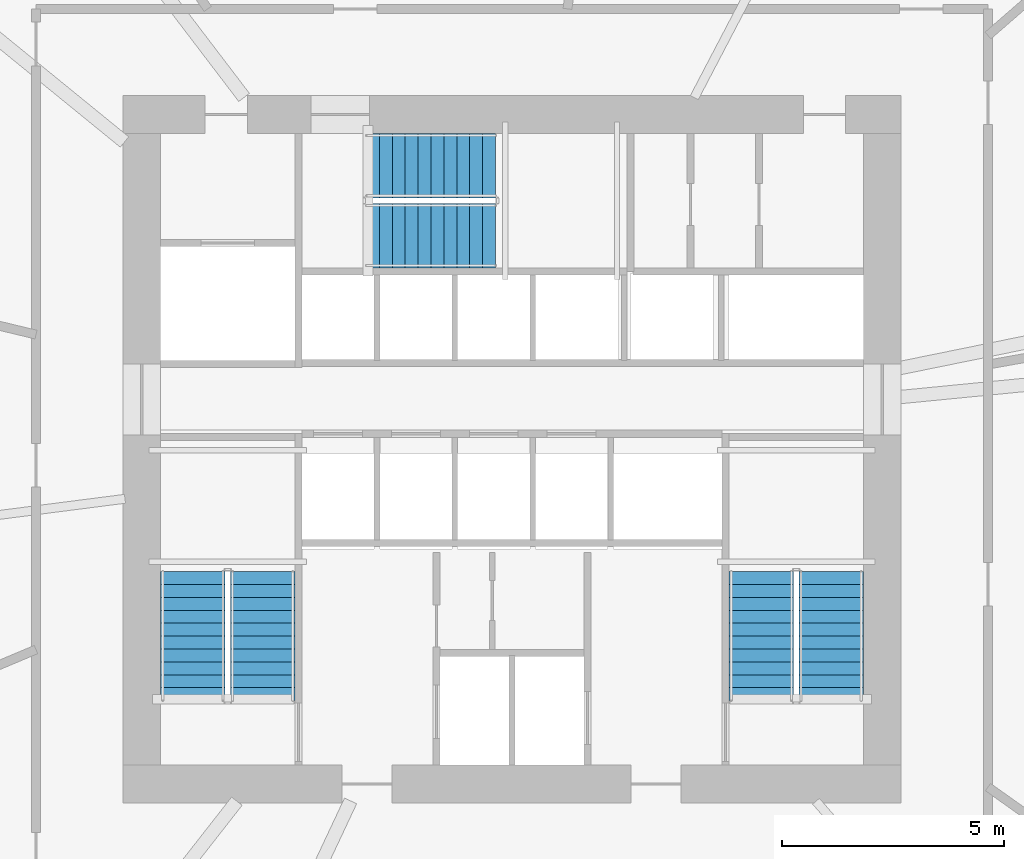
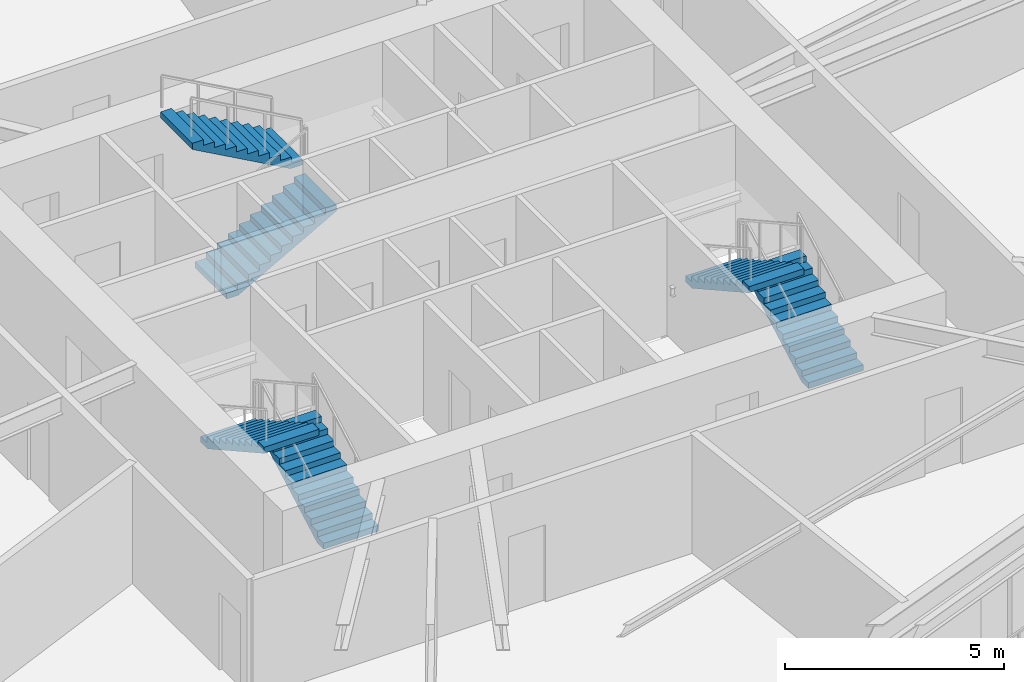
# One storey, part 18 of 22: 6 stair flights, 3 elements without a shape of their own.
"""IFC4 building model written with IfcOpenShell, lengths in metres."""

import ifcopenshell
import ifcopenshell.guid

model = None  # the IFC model being written
_history = None  # IfcOwnerHistory: only IFC2X3 demands one
_inside = {}  # id of a spatial element -> (the spatial element, [elements in it])
_under = {}  # id of a project, library or spatial element -> (it, [spatial elements below it])
_declared = {}  # id of a project -> (the project, [libraries it declares])
_typed = {}  # id of a type object -> (the type object, [elements of that type])
_made_of = {}  # id of a material, layer set ... -> (it, [elements and type objects made of it])


def new_model(schema):
    """Start an empty IFC model of exactly this schema.

    Asked for "IFC4X3", IfcOpenShell would pick the latest addendum, in which some entities
    have other attributes; the version numbers below select the first issue.
    IFC2X3 requires an IfcOwnerHistory on every rooted entity: one is made here for all.
    """
    global model, _history
    if schema == "IFC4X3":
        model = ifcopenshell.file(schema_version=(4, 3, 0, 0))
    else:
        model = ifcopenshell.file(schema=schema)
    _inside.clear()
    _under.clear()
    _declared.clear()
    _typed.clear()
    _made_of.clear()
    _history = None
    if model.schema == "IFC2X3":
        org = make("IfcOrganization", Name="unknown")
        user = make(
            "IfcPersonAndOrganization",
            ThePerson=make("IfcPerson", FamilyName="unknown"),
            TheOrganization=org,
        )
        app = make(
            "IfcApplication",
            ApplicationDeveloper=org,
            Version="unknown",
            ApplicationFullName="unknown",
            ApplicationIdentifier="unknown",
        )
        _history = make(
            "IfcOwnerHistory",
            OwningUser=user,
            OwningApplication=app,
            ChangeAction="ADDED",
            CreationDate=0,
        )
    return model


def make(cls, **values):
    """One entity of the class cls with the attributes given. An attribute that is None is left unset."""
    return model.create_entity(
        cls, **{name: value for name, value in values.items() if value is not None}
    )


def rooted(cls, **values):
    """An entity with a GlobalId (a new one), such as an element, a storey or a relation."""
    return make(cls, GlobalId=ifcopenshell.guid.new(), OwnerHistory=_history, **values)


def si_unit(unit_type, name, prefix=None):
    """IfcSIUnit, for example si_unit("LENGTHUNIT", "METRE", prefix="MILLI")."""
    return make("IfcSIUnit", UnitType=unit_type, Prefix=prefix, Name=name)


def assignment(units):
    """IfcUnitAssignment: the units of a project."""
    return None if units is None else make("IfcUnitAssignment", Units=units)


def point(xyz):
    """IfcCartesianPoint."""
    return None if xyz is None else make("IfcCartesianPoint", Coordinates=xyz)


def direction(xyz):
    """IfcDirection."""
    return None if xyz is None else make("IfcDirection", DirectionRatios=xyz)


def frame(location, z_axis=None, x_axis=None):
    """IfcAxis2Placement3D, a coordinate frame: its origin and axes. An axis left out is left unset."""
    return make(
        "IfcAxis2Placement3D",
        Location=point(location),
        Axis=direction(z_axis),
        RefDirection=direction(x_axis),
    )


def origin():
    """The frame at (0, 0, 0) with its axes left unset."""
    return frame((0.0, 0.0, 0.0))


def place(relative_to, where):
    """IfcLocalPlacement: puts the frame where relative to a parent placement (None: the world)."""
    return make(
        "IfcLocalPlacement", PlacementRelTo=relative_to, RelativePlacement=where
    )


def context(
    kind, dimensions, precision=None, world=None, true_north=None, identifier=None
):
    """IfcGeometricRepresentationContext, for example the 3D "Model" context."""
    return make(
        "IfcGeometricRepresentationContext",
        ContextIdentifier=identifier,
        ContextType=kind,
        CoordinateSpaceDimension=dimensions,
        Precision=precision,
        WorldCoordinateSystem=world,
        TrueNorth=true_north,
    )


def subcontext(parent, identifier, kind, view, scale=None):
    """IfcGeometricRepresentationSubContext, for example "Body" below "Model"."""
    return make(
        "IfcGeometricRepresentationSubContext",
        ContextIdentifier=identifier,
        ContextType=kind,
        ParentContext=parent,
        TargetScale=scale,
        TargetView=view,
    )


def project(units=None, contexts=None):
    """IfcProject with its units and contexts."""
    return rooted(
        "IfcProject",
        Name="project",
        RepresentationContexts=contexts,
        UnitsInContext=assignment(units),
    )


def spatial(cls, under=None, at=None, **own):
    """A site, building, storey or space (cls), placed at a placement, below another one or the project."""
    s = rooted(cls, ObjectPlacement=at, **own)
    if under is not None:
        _under.setdefault(under.id(), (under, []))[1].append(s)
    return s


def polyline(points):
    """IfcPolyline through the points."""
    return make("IfcPolyline", Points=[point(p) for p in points])


def outline(outer, holes=None, kind="AREA"):
    """IfcArbitraryClosedProfileDef: a profile drawn as a closed curve; with holes, ...WithVoids."""
    if holes is None:
        return make("IfcArbitraryClosedProfileDef", ProfileType=kind, OuterCurve=outer)
    return make(
        "IfcArbitraryProfileDefWithVoids",
        ProfileType=kind,
        OuterCurve=outer,
        InnerCurves=holes,
    )


def extrude(swept, where, along, depth):
    """IfcExtrudedAreaSolid: the profile swept, set in the frame where, extruded along a direction by depth."""
    return make(
        "IfcExtrudedAreaSolid",
        SweptArea=swept,
        Position=where,
        ExtrudedDirection=direction(along),
        Depth=depth,
    )


def shape(context_of_items, identifier, shape_type, items):
    """IfcShapeRepresentation: the items that make up one representation, for example the "Body"."""
    return make(
        "IfcShapeRepresentation",
        ContextOfItems=context_of_items,
        RepresentationIdentifier=identifier,
        RepresentationType=shape_type,
        Items=items,
    )


def material(Name=None, Category=None):
    """IfcMaterial."""
    return make("IfcMaterial", Name=Name, Category=Category)


def made_of(thing, what):
    """Note that an element or type object is made of a material, layer set ...; save() writes the relation."""
    if what is not None:
        _made_of.setdefault(what.id(), (what, []))[1].append(thing)
    return thing


def type_object(cls, material=None, **own):
    """A type object (cls), such as IfcWallType, which elements share."""
    return made_of(rooted(cls, **own), material)


def element(
    cls,
    number,
    at=None,
    inside=None,
    cuts=None,
    type_object=None,
    material=None,
    context=None,
    identifier="Body",
    shape_type=None,
    held_by="IfcProductDefinitionShape",
    body=None,
    shapes=None,
    **own,
):
    """One element of the class cls, such as IfcWall. Its Tag is "e" and its number.

    at: its placement. inside: the storey or other place that contains it. cuts: it is an
    opening in that element (IfcRelVoidsElement). A single representation is given by context,
    identifier, shape_type and body (its items); several are given by shapes. held_by: the class
    of the entity that holds the representations. save() writes the other relations.
    """
    e = rooted(cls, Tag="e%d" % number, ObjectPlacement=at, **own)
    if body is not None:
        shapes = [shape(context, identifier, shape_type, body)]
    if shapes is not None:
        e.Representation = make(held_by, Representations=shapes)
    if inside is not None:
        _inside.setdefault(inside.id(), (inside, []))[1].append(e)
    if cuts is not None:
        rooted(
            "IfcRelVoidsElement", RelatingBuildingElement=cuts, RelatedOpeningElement=e
        )
    if type_object is not None:
        _typed.setdefault(type_object.id(), (type_object, []))[1].append(e)
    return made_of(e, material)


def aggregate(whole, parts):
    """IfcRelAggregates: a whole, such as a stair, and the parts it consists of."""
    return rooted("IfcRelAggregates", RelatingObject=whole, RelatedObjects=parts)


def save(model, path):
    """Write the relations noted so far, then the file.

    IfcRelAggregates (storeys below a building ...), IfcRelContainedInSpatialStructure (elements
    in a storey), IfcRelDefinesByType, IfcRelAssociatesMaterial and IfcRelDeclares: one each for
    every whole, place, type object, material and project.
    """
    for whole, parts in _under.values():
        aggregate(whole, parts)
    for where, things in _inside.values():
        rooted(
            "IfcRelContainedInSpatialStructure",
            RelatedElements=things,
            RelatingStructure=where,
        )
    for kind, things in _typed.values():
        rooted("IfcRelDefinesByType", RelatedObjects=things, RelatingType=kind)
    for what, things in _made_of.values():
        rooted("IfcRelAssociatesMaterial", RelatedObjects=things, RelatingMaterial=what)
    for by, libraries in _declared.values():
        rooted("IfcRelDeclares", RelatingContext=by, RelatedDefinitions=libraries)
    model.write(path)


model = new_model("IFC4")

# Units and contexts
model_context = context("Model", 3, precision=1e-05, world=origin(), true_north=direction((0.0, 1.0)))
body_context = subcontext(model_context, "Body", "Model", "MODEL_VIEW")
ifc_project = project(units=[si_unit("LENGTHUNIT", "METRE"), si_unit("AREAUNIT", "SQUARE_METRE"), si_unit("VOLUMEUNIT", "CUBIC_METRE"), si_unit("PLANEANGLEUNIT", "RADIAN"), si_unit("MASSUNIT", "GRAM", prefix="KILO")], contexts=[model_context])

# Site, building, storey
site_placement = place(None, origin())
site = spatial("IfcSite", under=ifc_project, at=site_placement, CompositionType="ELEMENT")
building_placement = place(site_placement, origin())
building = spatial("IfcBuilding", under=site, at=building_placement, Name="Olszyna Solenne Hotel", CompositionType="ELEMENT")
storey_placement = place(building_placement, frame((0.0, 0.0, 61.25)))
storey = spatial("IfcBuildingStorey", under=building, at=storey_placement, Name="L15", CompositionType="ELEMENT", Elevation=61.25)

# Stair, stair flights
ifc_material = material(Name="Concrete C40/50", Category="concrete")
stair_type = type_object("IfcStairType", Name="STR-C1", PredefinedType="TWO_QUARTER_WINDING_STAIR", material=ifc_material)
stair_1_placement = place(storey_placement, origin())
stair_1 = element("IfcStair", 1, at=stair_1_placement, inside=storey, type_object=stair_type, Name="L15 ST1", PredefinedType="TWO_QUARTER_WINDING_STAIR")
stair_flight_type = type_object("IfcStairFlightType", Name="FLT-C1", PredefinedType="STRAIGHT", material=ifc_material)
stair_flight_1_placement = place(storey_placement, frame((32.39501953125, 20.949951171875, 0.0), z_axis=(0.0, 0.0, 1.0), x_axis=(0.0, 1.0, 0.0)))
stair_flight_1 = element("IfcStairFlight", 2, at=stair_flight_1_placement, type_object=stair_flight_type, Name="ST1 flight 1", NumberOfRisers=11, NumberOfTreads=10, PredefinedType="STRAIGHT", RiserHeight=0.161363636, TreadLength=0.29, context=body_context, shape_type="SweptSolid", body=[
    extrude(outline(polyline([(0.0, 0.0), (0.0, 0.161376953125), (0.2900390625, 0.161376953125), (0.2900390625, 0.32275390625), (0.580078125, 0.32275390625), (0.580078125, 0.484130859375), (0.8701171875, 0.484130859375), (0.8701171875, 0.6455078125), (1.159912109375, 0.6455078125), (1.159912109375, 0.806884765625), (1.449951171875, 0.806884765625), (1.449951171875, 0.96826171875), (1.739990234375, 0.96826171875), (1.739990234375, 1.129638671875), (2.030029296875, 1.129638671875), (2.030029296875, 1.291015625), (2.320068359375, 1.291015625), (2.320068359375, 1.452392578125), (2.610107421875, 1.452392578125), (2.610107421875, 1.613525390625), (2.89990234375, 1.613525390625), (2.89990234375, 1.77490234375), (2.89990234375, 1.442138671875), (0.308349609375, 0.0), (0.0, 0.0)])), frame((0.0, 0.72509765625, 0.0), z_axis=(0.0, -1.0, 0.0), x_axis=(1.0, 0.0, 0.0)), (0.0, 0.0, 1.0), 1.449951171875),
])
stair_flight_2_placement = place(storey_placement, frame((30.824951171875, 23.85009765625, 1.77490234375), z_axis=(0.0, 0.0, 1.0), x_axis=(0.0, -1.0, 0.0)))
stair_flight_2 = element("IfcStairFlight", 3, at=stair_flight_2_placement, type_object=stair_flight_type, Name="ST1 flight 2", NumberOfRisers=11, NumberOfTreads=10, PredefinedType="STRAIGHT", RiserHeight=0.161363636, TreadLength=0.29, context=body_context, shape_type="SweptSolid", body=[
    extrude(outline(polyline([(0.0, 0.0), (0.0, 0.161376953125), (0.2900390625, 0.161376953125), (0.2900390625, 0.32275390625), (0.580078125, 0.32275390625), (0.580078125, 0.484130859375), (0.8701171875, 0.484130859375), (0.8701171875, 0.6455078125), (1.159912109375, 0.6455078125), (1.159912109375, 0.806884765625), (1.449951171875, 0.806884765625), (1.449951171875, 0.96826171875), (1.739990234375, 0.96826171875), (1.739990234375, 1.129638671875), (2.030029296875, 1.129638671875), (2.030029296875, 1.291015625), (2.320068359375, 1.291015625), (2.320068359375, 1.452392578125), (2.610107421875, 1.452392578125), (2.610107421875, 1.613525390625), (2.89990234375, 1.613525390625), (2.89990234375, 1.77490234375), (2.89990234375, 1.442138671875), (0.308349609375, 0.0), (0.0, 0.0)])), frame((0.0, 0.72509765625, 0.0), z_axis=(0.0, -1.0, 0.0), x_axis=(1.0, 0.0, 0.0)), (0.0, 0.0, 1.0), 1.449951171875),
])
aggregate(stair_1, [stair_flight_1, stair_flight_2])

stair_2_placement = place(storey_placement, origin())
stair_2 = element("IfcStair", 4, at=stair_2_placement, inside=storey, type_object=stair_type, Name="L15 ST2", PredefinedType="TWO_QUARTER_WINDING_STAIR")
stair_flight_3_placement = place(storey_placement, frame((45.175048828125, 20.949951171875, 0.0), z_axis=(0.0, 0.0, 1.0), x_axis=(0.0, 1.0, 0.0)))
stair_flight_3 = element("IfcStairFlight", 5, at=stair_flight_3_placement, type_object=stair_flight_type, Name="ST2 flight 1", NumberOfRisers=11, NumberOfTreads=10, PredefinedType="STRAIGHT", RiserHeight=0.161363636, TreadLength=0.29, context=body_context, shape_type="SweptSolid", body=[
    extrude(outline(polyline([(0.0, 0.0), (0.0, 0.161376953125), (0.2900390625, 0.161376953125), (0.2900390625, 0.32275390625), (0.580078125, 0.32275390625), (0.580078125, 0.484130859375), (0.8701171875, 0.484130859375), (0.8701171875, 0.6455078125), (1.159912109375, 0.6455078125), (1.159912109375, 0.806884765625), (1.449951171875, 0.806884765625), (1.449951171875, 0.96826171875), (1.739990234375, 0.96826171875), (1.739990234375, 1.129638671875), (2.030029296875, 1.129638671875), (2.030029296875, 1.291015625), (2.320068359375, 1.291015625), (2.320068359375, 1.452392578125), (2.610107421875, 1.452392578125), (2.610107421875, 1.613525390625), (2.89990234375, 1.613525390625), (2.89990234375, 1.77490234375), (2.89990234375, 1.442138671875), (0.308349609375, 0.0), (0.0, 0.0)])), frame((0.0, 0.72509765625, 0.0), z_axis=(0.0, -1.0, 0.0), x_axis=(1.0, 0.0, 0.0)), (0.0, 0.0, 1.0), 1.449951171875),
])
stair_flight_4_placement = place(storey_placement, frame((43.60498046875, 23.85009765625, 1.77490234375), z_axis=(0.0, 0.0, 1.0), x_axis=(0.0, -1.0, 0.0)))
stair_flight_4 = element("IfcStairFlight", 6, at=stair_flight_4_placement, type_object=stair_flight_type, Name="ST2 flight 2", NumberOfRisers=11, NumberOfTreads=10, PredefinedType="STRAIGHT", RiserHeight=0.161363636, TreadLength=0.29, context=body_context, shape_type="SweptSolid", body=[
    extrude(outline(polyline([(0.0, 0.0), (0.0, 0.161376953125), (0.2900390625, 0.161376953125), (0.2900390625, 0.32275390625), (0.580078125, 0.32275390625), (0.580078125, 0.484130859375), (0.8701171875, 0.484130859375), (0.8701171875, 0.6455078125), (1.159912109375, 0.6455078125), (1.159912109375, 0.806884765625), (1.449951171875, 0.806884765625), (1.449951171875, 0.96826171875), (1.739990234375, 0.96826171875), (1.739990234375, 1.129638671875), (2.030029296875, 1.129638671875), (2.030029296875, 1.291015625), (2.320068359375, 1.291015625), (2.320068359375, 1.452392578125), (2.610107421875, 1.452392578125), (2.610107421875, 1.613525390625), (2.89990234375, 1.613525390625), (2.89990234375, 1.77490234375), (2.89990234375, 1.442138671875), (0.308349609375, 0.0), (0.0, 0.0)])), frame((0.0, 0.72509765625, 0.0), z_axis=(0.0, -1.0, 0.0), x_axis=(1.0, 0.0, 0.0)), (0.0, 0.0, 1.0), 1.449951171875),
])
aggregate(stair_2, [stair_flight_3, stair_flight_4])

stair_3_placement = place(storey_placement, origin())
stair_3 = element("IfcStair", 7, at=stair_3_placement, inside=storey, type_object=stair_type, Name="L15 ST3", PredefinedType="TWO_QUARTER_WINDING_STAIR")
stair_flight_5_placement = place(storey_placement, frame((34.72998046875, 31.405029296875, 0.0), z_axis=(0.0, 0.0, 1.0), x_axis=(1.0, 0.0, 0.0)))
stair_flight_5 = element("IfcStairFlight", 8, at=stair_flight_5_placement, type_object=stair_flight_type, Name="ST3 flight 1", NumberOfRisers=11, NumberOfTreads=10, PredefinedType="STRAIGHT", RiserHeight=0.161363636, TreadLength=0.29, context=body_context, shape_type="SweptSolid", body=[
    extrude(outline(polyline([(0.0, 0.0), (0.0, 0.161376953125), (0.2900390625, 0.161376953125), (0.2900390625, 0.32275390625), (0.580078125, 0.32275390625), (0.580078125, 0.484130859375), (0.8701171875, 0.484130859375), (0.8701171875, 0.6455078125), (1.159912109375, 0.6455078125), (1.159912109375, 0.806884765625), (1.449951171875, 0.806884765625), (1.449951171875, 0.96826171875), (1.739990234375, 0.96826171875), (1.739990234375, 1.129638671875), (2.030029296875, 1.129638671875), (2.030029296875, 1.291015625), (2.320068359375, 1.291015625), (2.320068359375, 1.452392578125), (2.610107421875, 1.452392578125), (2.610107421875, 1.613525390625), (2.89990234375, 1.613525390625), (2.89990234375, 1.77490234375), (2.89990234375, 1.442138671875), (0.308349609375, 0.0), (0.0, 0.0)])), frame((0.0, 0.72509765625, 0.0), z_axis=(0.0, -1.0, 0.0), x_axis=(1.0, 0.0, 0.0)), (0.0, 0.0, 1.0), 1.449951171875),
])
stair_flight_6_placement = place(storey_placement, frame((37.6298828125, 32.97509765625, 1.77490234375), z_axis=(0.0, 0.0, 1.0), x_axis=(-1.0, 0.0, 0.0)))
stair_flight_6 = element("IfcStairFlight", 9, at=stair_flight_6_placement, type_object=stair_flight_type, Name="ST3 flight 2", NumberOfRisers=11, NumberOfTreads=10, PredefinedType="STRAIGHT", RiserHeight=0.161363636, TreadLength=0.29, context=body_context, shape_type="SweptSolid", body=[
    extrude(outline(polyline([(0.0, 0.0), (0.0, 0.161376953125), (0.2900390625, 0.161376953125), (0.2900390625, 0.32275390625), (0.580078125, 0.32275390625), (0.580078125, 0.484130859375), (0.8701171875, 0.484130859375), (0.8701171875, 0.6455078125), (1.159912109375, 0.6455078125), (1.159912109375, 0.806884765625), (1.449951171875, 0.806884765625), (1.449951171875, 0.96826171875), (1.739990234375, 0.96826171875), (1.739990234375, 1.129638671875), (2.030029296875, 1.129638671875), (2.030029296875, 1.291015625), (2.320068359375, 1.291015625), (2.320068359375, 1.452392578125), (2.610107421875, 1.452392578125), (2.610107421875, 1.613525390625), (2.89990234375, 1.613525390625), (2.89990234375, 1.77490234375), (2.89990234375, 1.442138671875), (0.308349609375, 0.0), (0.0, 0.0)])), frame((0.0, 0.72509765625, 0.0), z_axis=(0.0, -1.0, 0.0), x_axis=(1.0, 0.0, 0.0)), (0.0, 0.0, 1.0), 1.449951171875),
])
aggregate(stair_3, [stair_flight_5, stair_flight_6])

save(model, "model.ifc")
